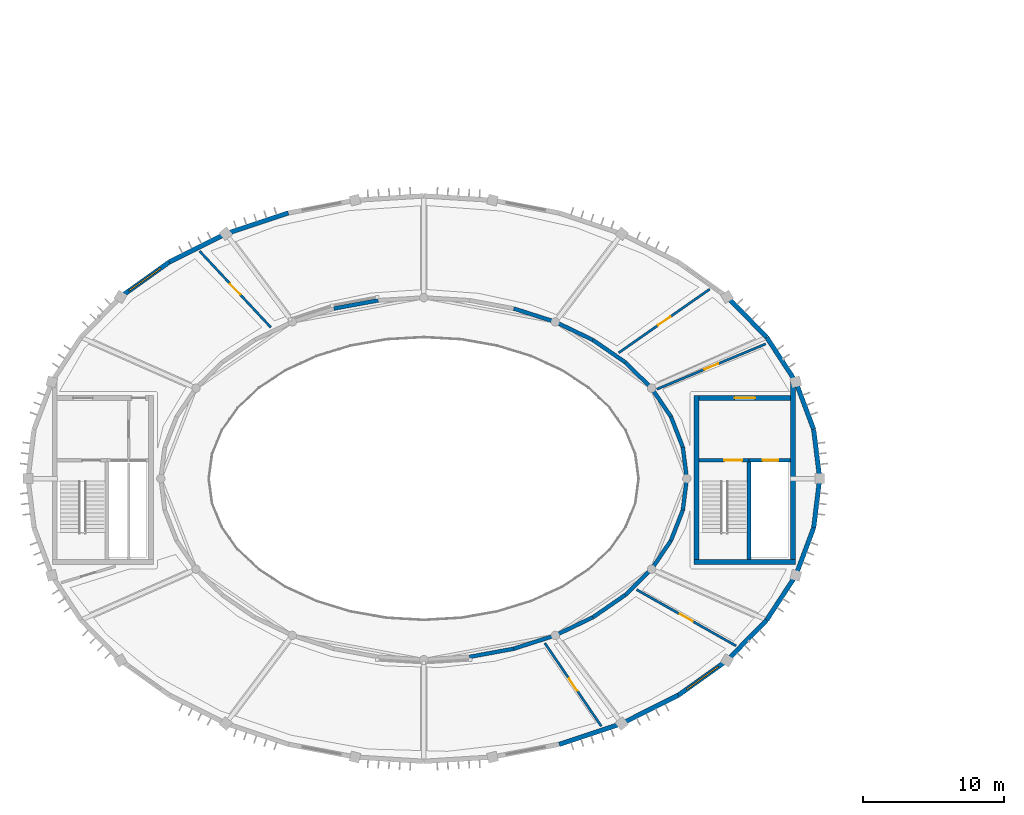
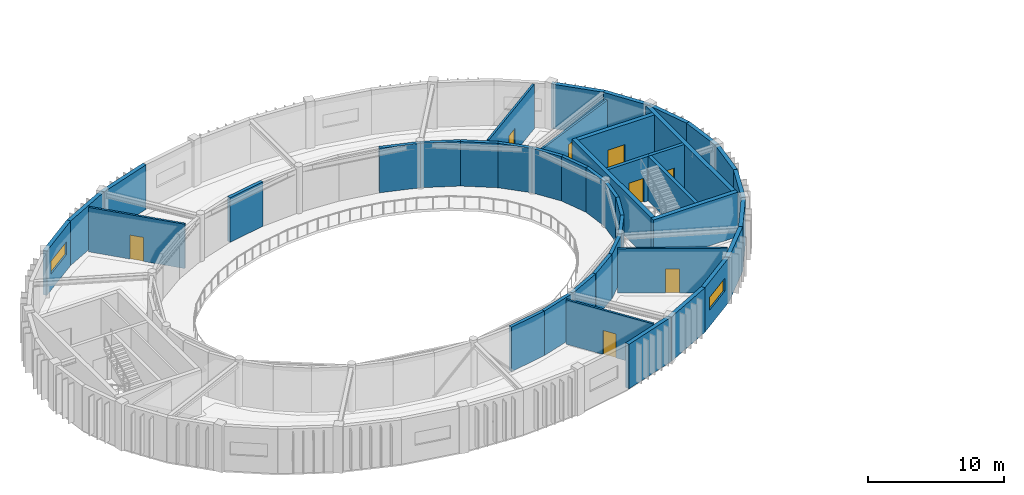
# One storey, part 18 of 29: 42 walls, 8 doors, 2 windows, 10 openings.
"""IFC4 building model written with IfcOpenShell, lengths in metres."""

import ifcopenshell
import ifcopenshell.guid

model = None  # the IFC model being written
_history = None  # IfcOwnerHistory: only IFC2X3 demands one
_inside = {}  # id of a spatial element -> (the spatial element, [elements in it])
_under = {}  # id of a project, library or spatial element -> (it, [spatial elements below it])
_declared = {}  # id of a project -> (the project, [libraries it declares])
_typed = {}  # id of a type object -> (the type object, [elements of that type])
_made_of = {}  # id of a material, layer set ... -> (it, [elements and type objects made of it])


def new_model(schema):
    """Start an empty IFC model of exactly this schema.

    Asked for "IFC4X3", IfcOpenShell would pick the latest addendum, in which some entities
    have other attributes; the version numbers below select the first issue.
    IFC2X3 requires an IfcOwnerHistory on every rooted entity: one is made here for all.
    """
    global model, _history
    if schema == "IFC4X3":
        model = ifcopenshell.file(schema_version=(4, 3, 0, 0))
    else:
        model = ifcopenshell.file(schema=schema)
    _inside.clear()
    _under.clear()
    _declared.clear()
    _typed.clear()
    _made_of.clear()
    _history = None
    if model.schema == "IFC2X3":
        org = make("IfcOrganization", Name="unknown")
        user = make(
            "IfcPersonAndOrganization",
            ThePerson=make("IfcPerson", FamilyName="unknown"),
            TheOrganization=org,
        )
        app = make(
            "IfcApplication",
            ApplicationDeveloper=org,
            Version="unknown",
            ApplicationFullName="unknown",
            ApplicationIdentifier="unknown",
        )
        _history = make(
            "IfcOwnerHistory",
            OwningUser=user,
            OwningApplication=app,
            ChangeAction="ADDED",
            CreationDate=0,
        )
    return model


def make(cls, **values):
    """One entity of the class cls with the attributes given. An attribute that is None is left unset."""
    return model.create_entity(
        cls, **{name: value for name, value in values.items() if value is not None}
    )


def rooted(cls, **values):
    """An entity with a GlobalId (a new one), such as an element, a storey or a relation."""
    return make(cls, GlobalId=ifcopenshell.guid.new(), OwnerHistory=_history, **values)


def si_unit(unit_type, name, prefix=None):
    """IfcSIUnit, for example si_unit("LENGTHUNIT", "METRE", prefix="MILLI")."""
    return make("IfcSIUnit", UnitType=unit_type, Prefix=prefix, Name=name)


def assignment(units):
    """IfcUnitAssignment: the units of a project."""
    return None if units is None else make("IfcUnitAssignment", Units=units)


def point(xyz):
    """IfcCartesianPoint."""
    return None if xyz is None else make("IfcCartesianPoint", Coordinates=xyz)


def direction(xyz):
    """IfcDirection."""
    return None if xyz is None else make("IfcDirection", DirectionRatios=xyz)


def frame(location, z_axis=None, x_axis=None):
    """IfcAxis2Placement3D, a coordinate frame: its origin and axes. An axis left out is left unset."""
    return make(
        "IfcAxis2Placement3D",
        Location=point(location),
        Axis=direction(z_axis),
        RefDirection=direction(x_axis),
    )


def frame_2d(location, x_axis=None):
    """IfcAxis2Placement2D, a coordinate frame in the plane: its origin and x axis."""
    return make(
        "IfcAxis2Placement2D", Location=point(location), RefDirection=direction(x_axis)
    )


def origin():
    """The frame at (0, 0, 0) with its axes left unset."""
    return frame((0.0, 0.0, 0.0))


def place(relative_to, where):
    """IfcLocalPlacement: puts the frame where relative to a parent placement (None: the world)."""
    return make(
        "IfcLocalPlacement", PlacementRelTo=relative_to, RelativePlacement=where
    )


def context(
    kind, dimensions, precision=None, world=None, true_north=None, identifier=None
):
    """IfcGeometricRepresentationContext, for example the 3D "Model" context."""
    return make(
        "IfcGeometricRepresentationContext",
        ContextIdentifier=identifier,
        ContextType=kind,
        CoordinateSpaceDimension=dimensions,
        Precision=precision,
        WorldCoordinateSystem=world,
        TrueNorth=true_north,
    )


def subcontext(parent, identifier, kind, view, scale=None):
    """IfcGeometricRepresentationSubContext, for example "Body" below "Model"."""
    return make(
        "IfcGeometricRepresentationSubContext",
        ContextIdentifier=identifier,
        ContextType=kind,
        ParentContext=parent,
        TargetScale=scale,
        TargetView=view,
    )


def project(units=None, contexts=None):
    """IfcProject with its units and contexts."""
    return rooted(
        "IfcProject",
        Name="project",
        RepresentationContexts=contexts,
        UnitsInContext=assignment(units),
    )


def spatial(cls, under=None, at=None, **own):
    """A site, building, storey or space (cls), placed at a placement, below another one or the project."""
    s = rooted(cls, ObjectPlacement=at, **own)
    if under is not None:
        _under.setdefault(under.id(), (under, []))[1].append(s)
    return s


def profile(cls, at=None, kind="AREA", **sizes):
    """A parametric profile (cls). Its sizes go by their IFC names, for example OverallWidth=200.0."""
    return make(cls, ProfileType=kind, Position=at, **sizes)


def rectangle(**sizes):
    """IfcRectangleProfileDef."""
    return profile("IfcRectangleProfileDef", **sizes)


def extrude(swept, where, along, depth):
    """IfcExtrudedAreaSolid: the profile swept, set in the frame where, extruded along a direction by depth."""
    return make(
        "IfcExtrudedAreaSolid",
        SweptArea=swept,
        Position=where,
        ExtrudedDirection=direction(along),
        Depth=depth,
    )


def shape(context_of_items, identifier, shape_type, items):
    """IfcShapeRepresentation: the items that make up one representation, for example the "Body"."""
    return make(
        "IfcShapeRepresentation",
        ContextOfItems=context_of_items,
        RepresentationIdentifier=identifier,
        RepresentationType=shape_type,
        Items=items,
    )


def material(Name=None, Category=None):
    """IfcMaterial."""
    return make("IfcMaterial", Name=Name, Category=Category)


def layer(
    of_material, thickness, ventilated=None, Name=None, Category=None, Priority=None
):
    """IfcMaterialLayer: one layer of a wall or slab, of a material (None: an air gap)."""
    return make(
        "IfcMaterialLayer",
        Material=of_material,
        LayerThickness=thickness,
        IsVentilated=ventilated,
        Name=Name,
        Category=Category,
        Priority=Priority,
    )


def layer_set(layers, Name=None):
    """IfcMaterialLayerSet."""
    return make("IfcMaterialLayerSet", MaterialLayers=layers, LayerSetName=Name)


def made_of(thing, what):
    """Note that an element or type object is made of a material, layer set ...; save() writes the relation."""
    if what is not None:
        _made_of.setdefault(what.id(), (what, []))[1].append(thing)
    return thing


def type_object(cls, material=None, **own):
    """A type object (cls), such as IfcWallType, which elements share."""
    return made_of(rooted(cls, **own), material)


def element(
    cls,
    number,
    at=None,
    inside=None,
    cuts=None,
    type_object=None,
    material=None,
    context=None,
    identifier="Body",
    shape_type=None,
    held_by="IfcProductDefinitionShape",
    body=None,
    shapes=None,
    **own,
):
    """One element of the class cls, such as IfcWall. Its Tag is "e" and its number.

    at: its placement. inside: the storey or other place that contains it. cuts: it is an
    opening in that element (IfcRelVoidsElement). A single representation is given by context,
    identifier, shape_type and body (its items); several are given by shapes. held_by: the class
    of the entity that holds the representations. save() writes the other relations.
    """
    e = rooted(cls, Tag="e%d" % number, ObjectPlacement=at, **own)
    if body is not None:
        shapes = [shape(context, identifier, shape_type, body)]
    if shapes is not None:
        e.Representation = make(held_by, Representations=shapes)
    if inside is not None:
        _inside.setdefault(inside.id(), (inside, []))[1].append(e)
    if cuts is not None:
        rooted(
            "IfcRelVoidsElement", RelatingBuildingElement=cuts, RelatedOpeningElement=e
        )
    if type_object is not None:
        _typed.setdefault(type_object.id(), (type_object, []))[1].append(e)
    return made_of(e, material)


def fill(opening, filler):
    """IfcRelFillsElement: the door or window that sits in an opening."""
    return rooted(
        "IfcRelFillsElement",
        RelatingOpeningElement=opening,
        RelatedBuildingElement=filler,
    )


def aggregate(whole, parts):
    """IfcRelAggregates: a whole, such as a stair, and the parts it consists of."""
    return rooted("IfcRelAggregates", RelatingObject=whole, RelatedObjects=parts)


def save(model, path):
    """Write the relations noted so far, then the file.

    IfcRelAggregates (storeys below a building ...), IfcRelContainedInSpatialStructure (elements
    in a storey), IfcRelDefinesByType, IfcRelAssociatesMaterial and IfcRelDeclares: one each for
    every whole, place, type object, material and project.
    """
    for whole, parts in _under.values():
        aggregate(whole, parts)
    for where, things in _inside.values():
        rooted(
            "IfcRelContainedInSpatialStructure",
            RelatedElements=things,
            RelatingStructure=where,
        )
    for kind, things in _typed.values():
        rooted("IfcRelDefinesByType", RelatedObjects=things, RelatingType=kind)
    for what, things in _made_of.values():
        rooted("IfcRelAssociatesMaterial", RelatedObjects=things, RelatingMaterial=what)
    for by, libraries in _declared.values():
        rooted("IfcRelDeclares", RelatingContext=by, RelatedDefinitions=libraries)
    model.write(path)


model = new_model("IFC4")

# Units and contexts
model_context = context("Model", 3, precision=1e-05, world=origin(), true_north=direction((0.0, 1.0)))
body_context = subcontext(model_context, "Body", "Model", "MODEL_VIEW")
ifc_project = project(units=[si_unit("LENGTHUNIT", "METRE"), si_unit("AREAUNIT", "SQUARE_METRE"), si_unit("VOLUMEUNIT", "CUBIC_METRE"), si_unit("PLANEANGLEUNIT", "RADIAN"), si_unit("MASSUNIT", "GRAM", prefix="KILO")], contexts=[model_context])

# Site, building, storey
site_placement = place(None, origin())
site = spatial("IfcSite", under=ifc_project, at=site_placement, CompositionType="ELEMENT")
building_placement = place(site_placement, origin())
building = spatial("IfcBuilding", under=site, at=building_placement, Name="Tarnveldt Headland Concert Hall", CompositionType="ELEMENT")
storey_placement = place(building_placement, frame((0.0, 0.0, 18.60009765625)))
storey = spatial("IfcBuildingStorey", under=building, at=storey_placement, Name="L04", CompositionType="ELEMENT", Elevation=18.60009765625)

# Walls
ifc_material_1 = material(Name="Concrete C40/50", Category="concrete")
ifc_layer_1 = layer(ifc_material_1, 0.324951171875, Name="Concrete C40/50", Category="concrete")
ifc_layer_set_1 = layer_set([ifc_layer_1], Name="Concrete C40/50")
wall_type_1 = type_object("IfcWallType", Name="WL-CR325", PredefinedType="SHEAR", material=ifc_layer_set_1)
wall_1_placement = place(storey_placement, frame((111.5, 54.5, 0.0), z_axis=(0.0, 0.0, 1.0), x_axis=(-0.121552414401, 0.99258501427, 0.0)))
element("IfcWall", 1, at=wall_1_placement, inside=storey, type_object=wall_type_1, Name="Symphony drum shear wall L04-1", PredefinedType="SHEAR", context=body_context, shape_type="SweptSolid", body=[
    extrude(rectangle(XDim=3.498779296875, YDim=0.324951171875, at=frame_2d((1.74951171875, 0.0))), origin(), (0.0, 0.0, 1.0), 3.97998046875),
])
wall_2_placement = place(storey_placement, frame((111.07470703125, 57.972900390625, 0.0), z_axis=(0.0, 0.0, 1.0), x_axis=(-0.351279653979, 0.936270583058, 0.0)))
element("IfcWall", 2, at=wall_2_placement, inside=storey, type_object=wall_type_1, Name="Symphony drum shear wall L04-2", PredefinedType="SHEAR", context=body_context, shape_type="SweptSolid", body=[
    extrude(rectangle(XDim=3.5966796875, YDim=0.324951171875, at=frame_2d((1.79833984375, 0.0))), origin(), (0.0, 0.0, 1.0), 3.97998046875),
])
wall_3_placement = place(storey_placement, frame((109.811279296875, 61.34033203125, 0.0), z_axis=(0.0, 0.0, 1.0), x_axis=(-0.546611158382, 0.837386554425, 0.0)))
element("IfcWall", 3, at=wall_3_placement, inside=storey, type_object=wall_type_1, Name="Symphony drum shear wall L04-3", PredefinedType="SHEAR", context=body_context, shape_type="SweptSolid", body=[
    extrude(rectangle(XDim=3.773193359375, YDim=0.324951171875, at=frame_2d((1.88671875, 0.0))), origin(), (0.0, 0.0, 1.0), 3.97998046875),
])
wall_4_placement = place(storey_placement, frame((107.748779296875, 64.5, 0.0), z_axis=(0.0, 0.0, 1.0), x_axis=(-0.700051268358, 0.714092586203, 0.0)))
element("IfcWall", 4, at=wall_4_placement, inside=storey, type_object=wall_type_1, Name="Symphony drum shear wall L04-4", PredefinedType="SHEAR", context=body_context, shape_type="SweptSolid", body=[
    extrude(rectangle(XDim=3.9990234375, YDim=0.324951171875, at=frame_2d((1.99951171875, 0.0))), origin(), (0.0, 0.0, 1.0), 3.97998046875),
])
wall_5_placement = place(storey_placement, frame((73.92333984375, 73.2939453125, 0.0), z_axis=(0.0, 0.0, 1.0), x_axis=(-0.948751350732, -0.316023534699, 0.0)))
element("IfcWall", 5, at=wall_5_placement, inside=storey, type_object=wall_type_1, Name="Symphony drum shear wall L04-12", PredefinedType="SHEAR", context=body_context, shape_type="SweptSolid", body=[
    extrude(rectangle(XDim=4.662353515625, YDim=0.324951171875, at=frame_2d((2.3310546875, 0.0))), origin(), (0.0, 0.0, 1.0), 3.97998046875),
])
wall_6_placement = place(storey_placement, frame((69.5, 71.820556640625, 0.0), z_axis=(0.0, 0.0, 1.0), x_axis=(-0.894361644392, -0.447344664705, 0.0)))
element("IfcWall", 6, at=wall_6_placement, inside=storey, type_object=wall_type_1, Name="Symphony drum shear wall L04-13", PredefinedType="SHEAR", context=body_context, shape_type="SweptSolid", body=[
    extrude(rectangle(XDim=4.47021484375, YDim=0.324951171875, at=frame_2d((2.235107421875, 0.0))), origin(), (0.0, 0.0, 1.0), 3.97998046875),
])

# Wall, opening, window
wall_7_placement = place(storey_placement, frame((65.501953125, 69.82080078125, 0.0), z_axis=(0.0, 0.0, 1.0), x_axis=(-0.813737360708, -0.581232748378, 0.0)))
wall_7 = element("IfcWall", 7, at=wall_7_placement, inside=storey, type_object=wall_type_1, Name="Symphony drum shear wall L04-14", PredefinedType="SHEAR", context=body_context, shape_type="SweptSolid", body=[
    extrude(rectangle(XDim=4.2412109375, YDim=0.324951171875, at=frame_2d((2.12060546875, 0.0))), origin(), (0.0, 0.0, 1.0), 3.97998046875),
])
opening_1_placement = place(wall_7_placement, frame((0.74560546875, 0.0, 1.449951171875)))
opening_1 = element("IfcOpeningElement", 8, at=opening_1_placement, cuts=wall_7, Name="Opening W-D011", PredefinedType="OPENING", context=body_context, shape_type="SweptSolid", body=[
    extrude(rectangle(XDim=2.75, YDim=1.14990234375, at=frame_2d((1.375, 0.574951171875))), frame((0.0, 0.17236328125, 0.0), z_axis=(0.0, -1.0, 0.0), x_axis=(1.0, 0.0, 0.0)), (0.0, 0.0, 1.0), 0.344970703125),
])
ifc_material_2 = material(Name="Acoustic laminated low-iron double glazing", Category="glass")
window_type = type_object("IfcWindowType", Name="WN-22", PartitioningType="SINGLE_PANEL", PredefinedType="WINDOW", material=ifc_material_2)
window_1_placement = place(opening_1_placement, origin())
window_1 = element("IfcWindow", 9, at=window_1_placement, inside=storey, type_object=window_type, Name="Drum acoustic gallery window L04-14", OverallHeight=1.14990234375, OverallWidth=2.75, PartitioningType="SINGLE_PANEL", PredefinedType="WINDOW", context=body_context, shape_type="SweptSolid", body=[
    extrude(rectangle(XDim=2.75, YDim=1.14990234375, at=frame_2d((1.375, 0.574951171875))), frame((0.0, 0.030029296875, 0.0), z_axis=(0.0, -1.0, 0.0), x_axis=(1.0, 0.0, 0.0)), (0.0, 0.0, 1.0), 0.06005859375),
])
fill(opening_1, window_1)

# Walls
wall_8_placement = place(storey_placement, frame((93.07666015625, 35.7060546875, 0.0), z_axis=(0.0, 0.0, 1.0), x_axis=(0.948751350732, 0.316023534699, 0.0)))
element("IfcWall", 10, at=wall_8_placement, inside=storey, type_object=wall_type_1, Name="Symphony drum shear wall L04-30", PredefinedType="SHEAR", context=body_context, shape_type="SweptSolid", body=[
    extrude(rectangle(XDim=4.662353515625, YDim=0.324951171875, at=frame_2d((2.3310546875, 0.0))), origin(), (0.0, 0.0, 1.0), 3.97998046875),
])
wall_9_placement = place(storey_placement, frame((97.5, 37.179443359375, 0.0), z_axis=(0.0, 0.0, 1.0), x_axis=(0.894361644392, 0.447344664705, 0.0)))
element("IfcWall", 11, at=wall_9_placement, inside=storey, type_object=wall_type_1, Name="Symphony drum shear wall L04-31", PredefinedType="SHEAR", context=body_context, shape_type="SweptSolid", body=[
    extrude(rectangle(XDim=4.47021484375, YDim=0.324951171875, at=frame_2d((2.235107421875, 0.0))), origin(), (0.0, 0.0, 1.0), 3.97998046875),
])

# Wall, opening, window
wall_10_placement = place(storey_placement, frame((101.498046875, 39.17919921875, 0.0), z_axis=(0.0, 0.0, 1.0), x_axis=(0.813737360708, 0.581232748378, 0.0)))
wall_10 = element("IfcWall", 12, at=wall_10_placement, inside=storey, type_object=wall_type_1, Name="Symphony drum shear wall L04-32", PredefinedType="SHEAR", context=body_context, shape_type="SweptSolid", body=[
    extrude(rectangle(XDim=4.2412109375, YDim=0.324951171875, at=frame_2d((2.12060546875, 0.0))), origin(), (0.0, 0.0, 1.0), 3.97998046875),
])
opening_2_placement = place(wall_10_placement, frame((0.74560546875, 0.0, 1.449951171875)))
opening_2 = element("IfcOpeningElement", 13, at=opening_2_placement, cuts=wall_10, Name="Opening W-D015", PredefinedType="OPENING", context=body_context, shape_type="SweptSolid", body=[
    extrude(rectangle(XDim=2.75, YDim=1.14990234375, at=frame_2d((1.375, 0.574951171875))), frame((0.0, 0.17236328125, 0.0), z_axis=(0.0, -1.0, 0.0), x_axis=(1.0, 0.0, 0.0)), (0.0, 0.0, 1.0), 0.344970703125),
])
window_2_placement = place(opening_2_placement, origin())
window_2 = element("IfcWindow", 14, at=window_2_placement, inside=storey, type_object=window_type, Name="Drum acoustic gallery window L04-32", OverallHeight=1.14990234375, OverallWidth=2.75, PartitioningType="SINGLE_PANEL", PredefinedType="WINDOW", context=body_context, shape_type="SweptSolid", body=[
    extrude(rectangle(XDim=2.75, YDim=1.14990234375, at=frame_2d((1.375, 0.574951171875))), frame((0.0, 0.030029296875, 0.0), z_axis=(0.0, -1.0, 0.0), x_axis=(1.0, 0.0, 0.0)), (0.0, 0.0, 1.0), 0.06005859375),
])
fill(opening_2, window_2)

# Walls
wall_11_placement = place(storey_placement, frame((104.94921875, 41.644287109375, 0.0), z_axis=(0.0, 0.0, 1.0), x_axis=(0.700051268358, 0.714092586203, 0.0)))
element("IfcWall", 15, at=wall_11_placement, inside=storey, type_object=wall_type_1, Name="Symphony drum shear wall L04-33", PredefinedType="SHEAR", context=body_context, shape_type="SweptSolid", body=[
    extrude(rectangle(XDim=3.9990234375, YDim=0.324951171875, at=frame_2d((1.99951171875, 0.0))), origin(), (0.0, 0.0, 1.0), 3.97998046875),
])
wall_12_placement = place(storey_placement, frame((107.748779296875, 44.5, 0.0), z_axis=(0.0, 0.0, 1.0), x_axis=(0.546611158382, 0.837386554425, 0.0)))
element("IfcWall", 16, at=wall_12_placement, inside=storey, type_object=wall_type_1, Name="Symphony drum shear wall L04-34", PredefinedType="SHEAR", context=body_context, shape_type="SweptSolid", body=[
    extrude(rectangle(XDim=3.773193359375, YDim=0.324951171875, at=frame_2d((1.88671875, 0.0))), origin(), (0.0, 0.0, 1.0), 3.97998046875),
])
wall_13_placement = place(storey_placement, frame((109.811279296875, 47.65966796875, 0.0), z_axis=(0.0, 0.0, 1.0), x_axis=(0.351279653979, 0.936270583058, 0.0)))
element("IfcWall", 17, at=wall_13_placement, inside=storey, type_object=wall_type_1, Name="Symphony drum shear wall L04-35", PredefinedType="SHEAR", context=body_context, shape_type="SweptSolid", body=[
    extrude(rectangle(XDim=3.5966796875, YDim=0.324951171875, at=frame_2d((1.79833984375, 0.0))), origin(), (0.0, 0.0, 1.0), 3.97998046875),
])
wall_14_placement = place(storey_placement, frame((111.07470703125, 51.027099609375, 0.0), z_axis=(0.0, 0.0, 1.0), x_axis=(0.121552414401, 0.99258501427, 0.0)))
element("IfcWall", 18, at=wall_14_placement, inside=storey, type_object=wall_type_1, Name="Symphony drum shear wall L04-36", PredefinedType="SHEAR", context=body_context, shape_type="SweptSolid", body=[
    extrude(rectangle(XDim=3.498779296875, YDim=0.324951171875, at=frame_2d((1.74951171875, 0.0))), origin(), (0.0, 0.0, 1.0), 3.97998046875),
])
ifc_layer_2 = layer(ifc_material_1, 0.35009765625, Name="Concrete C40/50", Category="concrete")
ifc_layer_set_2 = layer_set([ifc_layer_2], Name="Concrete C40/50")
wall_type_2 = type_object("IfcWallType", Name="WL-CR350", PredefinedType="SHEAR", material=ifc_layer_set_2)
wall_15_placement = place(storey_placement, frame((102.625, 48.60009765625, 0.0), z_axis=(0.0, 0.0, 1.0), x_axis=(1.0, 0.0, 0.0)))
element("IfcWall", 19, at=wall_15_placement, inside=storey, type_object=wall_type_2, Name="Core C2 south shear wall L04", PredefinedType="SHEAR", context=body_context, shape_type="SweptSolid", body=[
    extrude(rectangle(XDim=7.14990234375, YDim=0.35009765625, at=frame_2d((3.574951171875, 0.0))), origin(), (0.0, 0.0, 1.0), 3.97998046875),
])

# Wall, opening, door
wall_16_placement = place(storey_placement, frame((102.97509765625, 60.199951171875, 0.0), z_axis=(0.0, 0.0, 1.0), x_axis=(1.0, 0.0, 0.0)))
wall_16 = element("IfcWall", 20, at=wall_16_placement, inside=storey, type_object=wall_type_2, Name="Core C2 north shear wall L04", PredefinedType="SHEAR", context=body_context, shape_type="SweptSolid", body=[
    extrude(rectangle(XDim=6.449951171875, YDim=0.35009765625, at=frame_2d((3.22509765625, 0.0))), origin(), (0.0, 0.0, 1.0), 3.97998046875),
])
opening_3_placement = place(wall_16_placement, frame((2.5, 0.0, 0.0)))
opening_3 = element("IfcOpeningElement", 21, at=opening_3_placement, cuts=wall_16, Name="Opening LBD-C2-L04", PredefinedType="OPENING", context=body_context, shape_type="SweptSolid", body=[
    extrude(rectangle(XDim=1.449951171875, YDim=2.199951171875, at=frame_2d((0.72509765625, 1.10009765625))), frame((0.0, 0.18505859375, 0.0), z_axis=(0.0, -1.0, 0.0), x_axis=(1.0, 0.0, 0.0)), (0.0, 0.0, 1.0), 0.3701171875),
])
ifc_material_3 = material(Name="Galvanised painted steel sheet", Category="steel")
door_type_1 = type_object("IfcDoorType", Name="DR-LB145", OperationType="NOTDEFINED", PredefinedType="DOOR", material=ifc_material_3)
door_1_placement = place(opening_3_placement, origin())
door_1 = element("IfcDoor", 22, at=door_1_placement, inside=storey, type_object=door_type_1, Name="Core C2 lobby entrance door L04", OperationType="SINGLE_SWING_LEFT", OverallHeight=2.199951171875, OverallWidth=1.449951171875, PredefinedType="DOOR", context=body_context, shape_type="SweptSolid", body=[
    extrude(rectangle(XDim=1.449951171875, YDim=2.199951171875, at=frame_2d((0.72509765625, 1.10009765625))), frame((0.0, 0.02490234375, 0.0), z_axis=(0.0, -1.0, 0.0), x_axis=(1.0, 0.0, 0.0)), (0.0, 0.0, 1.0), 0.050048828125),
])
fill(opening_3, door_1)

# Walls
wall_17_placement = place(storey_placement, frame((102.800048828125, 48.77490234375, 0.0), z_axis=(0.0, 0.0, 1.0), x_axis=(0.0, 1.0, 0.0)))
element("IfcWall", 23, at=wall_17_placement, inside=storey, type_object=wall_type_2, Name="Core C2 west shear wall L04", PredefinedType="SHEAR", context=body_context, shape_type="SweptSolid", body=[
    extrude(rectangle(XDim=11.60009765625, YDim=0.35009765625, at=frame_2d((5.800048828125, 0.0))), origin(), (0.0, 0.0, 1.0), 3.97998046875),
])
wall_18_placement = place(storey_placement, frame((109.60009765625, 48.77490234375, 0.0), z_axis=(0.0, 0.0, 1.0), x_axis=(0.0, 1.0, 0.0)))
element("IfcWall", 24, at=wall_18_placement, inside=storey, type_object=wall_type_2, Name="Core C2 east shear wall L04", PredefinedType="SHEAR", context=body_context, shape_type="SweptSolid", body=[
    extrude(rectangle(XDim=12.565185546875, YDim=0.35009765625, at=frame_2d((6.28271484375, 0.0))), origin(), (0.0, 0.0, 1.0), 3.97998046875),
])

# Wall, opening, door
ifc_material_4 = material(Name="Acoustic multi-layer gypsum and mineral-wool partition", Category="gypsum")
ifc_layer_3 = layer(ifc_material_4, 0.1650390625, Name="Acoustic multi-layer gypsum and mineral-wool partition", Category="gypsum")
ifc_layer_set_3 = layer_set([ifc_layer_3], Name="Acoustic multi-layer gypsum and mineral-wool partition")
wall_type_3 = type_object("IfcWallType", Name="WL-PT165", PredefinedType="PARTITIONING", material=ifc_layer_set_3)
wall_19_placement = place(storey_placement, frame((92.0576171875, 42.872314453125, 0.0), z_axis=(0.0, 0.0, 1.0), x_axis=(0.561953973971, -0.827168502264, 0.0)))
wall_19 = element("IfcWall", 25, at=wall_19_placement, inside=storey, type_object=wall_type_3, Name="Interior acoustic partition L04-243", PredefinedType="PARTITIONING", context=body_context, shape_type="SweptSolid", body=[
    extrude(rectangle(XDim=7.109375, YDim=0.1650390625, at=frame_2d((3.5546875, 0.0))), origin(), (0.0, 0.0, 1.0), 3.973876953125),
])
opening_4_placement = place(wall_19_placement, frame((3.02978515625, 0.0, 0.0)))
opening_4 = element("IfcOpeningElement", 26, at=opening_4_placement, cuts=wall_19, Name="Opening D-L04-239", PredefinedType="OPENING", context=body_context, shape_type="SweptSolid", body=[
    extrude(rectangle(XDim=1.050048828125, YDim=2.14990234375, at=frame_2d((0.52490234375, 1.074951171875))), frame((0.0, 0.092529296875, 0.0), z_axis=(0.0, -1.0, 0.0), x_axis=(1.0, 0.0, 0.0)), (0.0, 0.0, 1.0), 0.18505859375),
])
ifc_material_5 = material(Name="Treated East African mvule hardwood", Category="wood")
door_type_2 = type_object("IfcDoorType", Name="DR-RM105", OperationType="NOTDEFINED", PredefinedType="DOOR", material=ifc_material_5)
door_2_placement = place(opening_4_placement, origin())
door_2 = element("IfcDoor", 27, at=door_2_placement, inside=storey, type_object=door_type_2, Name="Interior room door L04-239", OperationType="SINGLE_SWING_LEFT", OverallHeight=2.14990234375, OverallWidth=1.050048828125, PredefinedType="DOOR", context=body_context, shape_type="SweptSolid", body=[
    extrude(rectangle(XDim=1.050048828125, YDim=2.14990234375, at=frame_2d((0.52490234375, 1.074951171875))), frame((0.0, 0.02490234375, 0.0), z_axis=(0.0, -1.0, 0.0), x_axis=(1.0, 0.0, 0.0)), (0.0, 0.0, 1.0), 0.050048828125),
])
fill(opening_4, door_2)

wall_20_placement = place(storey_placement, frame((98.55419921875, 46.646240234375, 0.0), z_axis=(0.0, 0.0, 1.0), x_axis=(0.870587620776, -0.492013408914, 0.0)))
wall_20 = element("IfcWall", 28, at=wall_20_placement, inside=storey, type_object=wall_type_3, Name="Interior acoustic partition L04-244", PredefinedType="PARTITIONING", context=body_context, shape_type="SweptSolid", body=[
    extrude(rectangle(XDim=8.07275390625, YDim=0.1650390625, at=frame_2d((4.036376953125, 0.0))), origin(), (0.0, 0.0, 1.0), 3.973876953125),
])
opening_5_placement = place(wall_20_placement, frame((3.511474609375, 0.0, 0.0)))
opening_5 = element("IfcOpeningElement", 29, at=opening_5_placement, cuts=wall_20, Name="Opening D-L04-240", PredefinedType="OPENING", context=body_context, shape_type="SweptSolid", body=[
    extrude(rectangle(XDim=1.050048828125, YDim=2.14990234375, at=frame_2d((0.52490234375, 1.074951171875))), frame((0.0, 0.092529296875, 0.0), z_axis=(0.0, -1.0, 0.0), x_axis=(1.0, 0.0, 0.0)), (0.0, 0.0, 1.0), 0.18505859375),
])
door_3_placement = place(opening_5_placement, origin())
door_3 = element("IfcDoor", 30, at=door_3_placement, inside=storey, type_object=door_type_2, Name="Interior room door L04-240", OperationType="SINGLE_SWING_RIGHT", OverallHeight=2.14990234375, OverallWidth=1.050048828125, PredefinedType="DOOR", context=body_context, shape_type="SweptSolid", body=[
    extrude(rectangle(XDim=1.050048828125, YDim=2.14990234375, at=frame_2d((0.52490234375, 1.074951171875))), frame((0.0, 0.02490234375, 0.0), z_axis=(0.0, -1.0, 0.0), x_axis=(1.0, 0.0, 0.0)), (0.0, 0.0, 1.0), 0.050048828125),
])
fill(opening_5, door_3)

wall_21_placement = place(storey_placement, frame((99.986572265625, 60.826904296875, 0.0), z_axis=(0.0, 0.0, 1.0), x_axis=(0.923382534701, 0.383881094363, 0.0)))
wall_21 = element("IfcWall", 31, at=wall_21_placement, inside=storey, type_object=wall_type_3, Name="Interior acoustic partition L04-245", PredefinedType="PARTITIONING", context=body_context, shape_type="SweptSolid", body=[
    extrude(rectangle(XDim=8.335205078125, YDim=0.1650390625, at=frame_2d((4.16748046875, 0.0))), origin(), (0.0, 0.0, 1.0), 3.52001953125),
])
opening_6_placement = place(wall_21_placement, frame((3.642578125, 0.0, 0.0)))
opening_6 = element("IfcOpeningElement", 32, at=opening_6_placement, cuts=wall_21, Name="Opening D-L04-241", PredefinedType="OPENING", context=body_context, shape_type="SweptSolid", body=[
    extrude(rectangle(XDim=1.050048828125, YDim=2.14990234375, at=frame_2d((0.52490234375, 1.074951171875))), frame((0.0, 0.092529296875, 0.0), z_axis=(0.0, -1.0, 0.0), x_axis=(1.0, 0.0, 0.0)), (0.0, 0.0, 1.0), 0.18505859375),
])
door_4_placement = place(opening_6_placement, origin())
door_4 = element("IfcDoor", 33, at=door_4_placement, inside=storey, type_object=door_type_2, Name="Interior room door L04-241", OperationType="SINGLE_SWING_LEFT", OverallHeight=2.14990234375, OverallWidth=1.050048828125, PredefinedType="DOOR", context=body_context, shape_type="SweptSolid", body=[
    extrude(rectangle(XDim=1.050048828125, YDim=2.14990234375, at=frame_2d((0.52490234375, 1.074951171875))), frame((0.0, 0.02490234375, 0.0), z_axis=(0.0, -1.0, 0.0), x_axis=(1.0, 0.0, 0.0)), (0.0, 0.0, 1.0), 0.050048828125),
])
fill(opening_6, door_4)

wall_22_placement = place(storey_placement, frame((97.285888671875, 63.400146484375, 0.0), z_axis=(0.0, 0.0, 1.0), x_axis=(0.819471352116, 0.573120147142, 0.0)))
wall_22 = element("IfcWall", 34, at=wall_22_placement, inside=storey, type_object=wall_type_3, Name="Interior acoustic partition L04-246", PredefinedType="PARTITIONING", context=body_context, shape_type="SweptSolid", body=[
    extrude(rectangle(XDim=7.85400390625, YDim=0.1650390625, at=frame_2d((3.927001953125, 0.0))), origin(), (0.0, 0.0, 1.0), 3.973876953125),
])
opening_7_placement = place(wall_22_placement, frame((3.40185546875, 0.0, 0.0)))
opening_7 = element("IfcOpeningElement", 35, at=opening_7_placement, cuts=wall_22, Name="Opening D-L04-242", PredefinedType="OPENING", context=body_context, shape_type="SweptSolid", body=[
    extrude(rectangle(XDim=1.050048828125, YDim=2.14990234375, at=frame_2d((0.52490234375, 1.074951171875))), frame((0.0, 0.092529296875, 0.0), z_axis=(0.0, -1.0, 0.0), x_axis=(1.0, 0.0, 0.0)), (0.0, 0.0, 1.0), 0.18505859375),
])
door_5_placement = place(opening_7_placement, origin())
door_5 = element("IfcDoor", 36, at=door_5_placement, inside=storey, type_object=door_type_2, Name="Interior room door L04-242", OperationType="SINGLE_SWING_RIGHT", OverallHeight=2.14990234375, OverallWidth=1.050048828125, PredefinedType="DOOR", context=body_context, shape_type="SweptSolid", body=[
    extrude(rectangle(XDim=1.050048828125, YDim=2.14990234375, at=frame_2d((0.52490234375, 1.074951171875))), frame((0.0, 0.02490234375, 0.0), z_axis=(0.0, -1.0, 0.0), x_axis=(1.0, 0.0, 0.0)), (0.0, 0.0, 1.0), 0.050048828125),
])
fill(opening_7, door_5)

wall_23_placement = place(storey_placement, frame((72.68798828125, 65.18994140625, 0.0), z_axis=(0.0, 0.0, 1.0), x_axis=(-0.682428795384, 0.730952077246, 0.0)))
wall_23 = element("IfcWall", 37, at=wall_23_placement, inside=storey, type_object=wall_type_3, Name="Interior acoustic partition L04-247", PredefinedType="PARTITIONING", context=body_context, shape_type="SweptSolid", body=[
    extrude(rectangle(XDim=7.396240234375, YDim=0.1650390625, at=frame_2d((3.6982421875, 0.0))), origin(), (0.0, 0.0, 1.0), 3.973876953125),
])
opening_8_placement = place(wall_23_placement, frame((3.173095703125, 0.0, 0.0)))
opening_8 = element("IfcOpeningElement", 38, at=opening_8_placement, cuts=wall_23, Name="Opening D-L04-243", PredefinedType="OPENING", context=body_context, shape_type="SweptSolid", body=[
    extrude(rectangle(XDim=1.050048828125, YDim=2.14990234375, at=frame_2d((0.52490234375, 1.074951171875))), frame((0.0, 0.092529296875, 0.0), z_axis=(0.0, -1.0, 0.0), x_axis=(1.0, 0.0, 0.0)), (0.0, 0.0, 1.0), 0.18505859375),
])
door_6_placement = place(opening_8_placement, origin())
door_6 = element("IfcDoor", 39, at=door_6_placement, inside=storey, type_object=door_type_2, Name="Interior room door L04-243", OperationType="SINGLE_SWING_LEFT", OverallHeight=2.14990234375, OverallWidth=1.050048828125, PredefinedType="DOOR", context=body_context, shape_type="SweptSolid", body=[
    extrude(rectangle(XDim=1.050048828125, YDim=2.14990234375, at=frame_2d((0.52490234375, 1.074951171875))), frame((0.0, 0.02490234375, 0.0), z_axis=(0.0, -1.0, 0.0), x_axis=(1.0, 0.0, 0.0)), (0.0, 0.0, 1.0), 0.050048828125),
])
fill(opening_8, door_6)

# Walls
ifc_layer_4 = layer(ifc_material_1, 0.27490234375, Name="Concrete C40/50", Category="concrete")
ifc_layer_set_4 = layer_set([ifc_layer_4], Name="Concrete C40/50")
wall_type_4 = type_object("IfcWallType", Name="WL-SH275", PredefinedType="SHEAR", material=ifc_layer_set_4)
wall_24_placement = place(storey_placement, frame((102.10009765625, 54.5, 0.0), z_axis=(0.0, 0.0, 1.0), x_axis=(-0.126180195213, 0.992007337844, 0.0)))
element("IfcWall", 40, at=wall_24_placement, inside=storey, type_object=wall_type_4, Name="Acoustic inner box wall L04-1", PredefinedType="SHEAR", context=body_context, shape_type="SweptSolid", body=[
    extrude(rectangle(XDim=2.240478515625, YDim=0.27490234375, at=frame_2d((1.1201171875, 0.0))), origin(), (0.0, 0.0, 1.0), 3.97998046875),
])
wall_25_placement = place(storey_placement, frame((101.8173828125, 56.72265625, 0.0), z_axis=(0.0, 0.0, 1.0), x_axis=(-0.362802811216, 0.931865934657, 0.0)))
element("IfcWall", 41, at=wall_25_placement, inside=storey, type_object=wall_type_4, Name="Acoustic inner box wall L04-2", PredefinedType="SHEAR", context=body_context, shape_type="SweptSolid", body=[
    extrude(rectangle(XDim=2.312744140625, YDim=0.27490234375, at=frame_2d((1.15625, 0.0))), origin(), (0.0, 0.0, 1.0), 3.97998046875),
])
wall_26_placement = place(storey_placement, frame((100.978271484375, 58.8779296875, 0.0), z_axis=(0.0, 0.0, 1.0), x_axis=(-0.560958648975, 0.827843822312, 0.0)))
element("IfcWall", 42, at=wall_26_placement, inside=storey, type_object=wall_type_4, Name="Acoustic inner box wall L04-3", PredefinedType="SHEAR", context=body_context, shape_type="SweptSolid", body=[
    extrude(rectangle(XDim=2.4423828125, YDim=0.27490234375, at=frame_2d((1.22119140625, 0.0))), origin(), (0.0, 0.0, 1.0), 3.97998046875),
])
wall_27_placement = place(storey_placement, frame((99.608154296875, 60.89990234375, 0.0), z_axis=(0.0, 0.0, 1.0), x_axis=(-0.713212431679, 0.700947949065, 0.0)))
element("IfcWall", 43, at=wall_27_placement, inside=storey, type_object=wall_type_4, Name="Acoustic inner box wall L04-4", PredefinedType="SHEAR", context=body_context, shape_type="SweptSolid", body=[
    extrude(rectangle(XDim=2.607666015625, YDim=0.27490234375, at=frame_2d((1.3037109375, 0.0))), origin(), (0.0, 0.0, 1.0), 3.97998046875),
])
wall_28_placement = place(storey_placement, frame((97.748291015625, 62.727783203125, 0.0), z_axis=(0.0, 0.0, 1.0), x_axis=(-0.823780742291, 0.566908536388, 0.0)))
element("IfcWall", 44, at=wall_28_placement, inside=storey, type_object=wall_type_4, Name="Acoustic inner box wall L04-5", PredefinedType="SHEAR", context=body_context, shape_type="SweptSolid", body=[
    extrude(rectangle(XDim=2.782958984375, YDim=0.27490234375, at=frame_2d((1.3916015625, 0.0))), origin(), (0.0, 0.0, 1.0), 3.97998046875),
])
wall_29_placement = place(storey_placement, frame((95.455810546875, 64.305419921875, 0.0), z_axis=(0.0, 0.0, 1.0), x_axis=(-0.900857755122, 0.434114391648, 0.0)))
element("IfcWall", 45, at=wall_29_placement, inside=storey, type_object=wall_type_4, Name="Acoustic inner box wall L04-6", PredefinedType="SHEAR", context=body_context, shape_type="SweptSolid", body=[
    extrude(rectangle(XDim=2.947998046875, YDim=0.27490234375, at=frame_2d((1.47412109375, 0.0))), origin(), (0.0, 0.0, 1.0), 3.97998046875),
])
wall_30_placement = place(storey_placement, frame((92.800048828125, 65.585205078125, 0.0), z_axis=(0.0, 0.0, 1.0), x_axis=(-0.952183186678, 0.305527705795, 0.0)))
element("IfcWall", 46, at=wall_30_placement, inside=storey, type_object=wall_type_4, Name="Acoustic inner box wall L04-7", PredefinedType="SHEAR", context=body_context, shape_type="SweptSolid", body=[
    extrude(rectangle(XDim=3.0859375, YDim=0.27490234375, at=frame_2d((1.54296875, 0.0))), origin(), (0.0, 0.0, 1.0), 3.97998046875),
])
for number, where, z_axis, x_axis, name in (
    (47, (80.27001953125, 67.10546875, 0.0), (0.0, 0.0, 1.0), (-0.9834240594, -0.18132048807, 0.0), "Acoustic inner box wall L04-11"),
    (48, (86.72998046875, 41.89453125, 0.0), (0.0, 0.0, 1.0), (0.9834240594, 0.18132048807, 0.0), "Acoustic inner box wall L04-29"),
):
    element("IfcWall", number, at=place(storey_placement, frame(where, z_axis=z_axis, x_axis=x_axis)), inside=storey, type_object=wall_type_4, Name=name, PredefinedType="SHEAR", context=body_context, shape_type="SweptSolid", body=[
        extrude(rectangle(XDim=3.184326171875, YDim=0.27490234375, at=frame_2d((1.59228515625, 0.0))), origin(), (0.0, 0.0, 1.0), 3.97998046875),
    ])
wall_31_placement = place(storey_placement, frame((89.861572265625, 42.471923828125, 0.0), z_axis=(0.0, 0.0, 1.0), x_axis=(0.952183186678, 0.305527705795, 0.0)))
element("IfcWall", 49, at=wall_31_placement, inside=storey, type_object=wall_type_4, Name="Acoustic inner box wall L04-30", PredefinedType="SHEAR", context=body_context, shape_type="SweptSolid", body=[
    extrude(rectangle(XDim=3.0859375, YDim=0.27490234375, at=frame_2d((1.54296875, 0.0))), origin(), (0.0, 0.0, 1.0), 3.97998046875),
])
wall_32_placement = place(storey_placement, frame((92.800048828125, 43.414794921875, 0.0), z_axis=(0.0, 0.0, 1.0), x_axis=(0.900857755122, 0.434114391648, 0.0)))
element("IfcWall", 50, at=wall_32_placement, inside=storey, type_object=wall_type_4, Name="Acoustic inner box wall L04-31", PredefinedType="SHEAR", context=body_context, shape_type="SweptSolid", body=[
    extrude(rectangle(XDim=2.947998046875, YDim=0.27490234375, at=frame_2d((1.47412109375, 0.0))), origin(), (0.0, 0.0, 1.0), 3.97998046875),
])
wall_33_placement = place(storey_placement, frame((95.455810546875, 44.694580078125, 0.0), z_axis=(0.0, 0.0, 1.0), x_axis=(0.823780742291, 0.566908536388, 0.0)))
element("IfcWall", 51, at=wall_33_placement, inside=storey, type_object=wall_type_4, Name="Acoustic inner box wall L04-32", PredefinedType="SHEAR", context=body_context, shape_type="SweptSolid", body=[
    extrude(rectangle(XDim=2.782958984375, YDim=0.27490234375, at=frame_2d((1.3916015625, 0.0))), origin(), (0.0, 0.0, 1.0), 3.97998046875),
])
wall_34_placement = place(storey_placement, frame((97.748291015625, 46.272216796875, 0.0), z_axis=(0.0, 0.0, 1.0), x_axis=(0.713212431679, 0.700947949065, 0.0)))
element("IfcWall", 52, at=wall_34_placement, inside=storey, type_object=wall_type_4, Name="Acoustic inner box wall L04-33", PredefinedType="SHEAR", context=body_context, shape_type="SweptSolid", body=[
    extrude(rectangle(XDim=2.607666015625, YDim=0.27490234375, at=frame_2d((1.3037109375, 0.0))), origin(), (0.0, 0.0, 1.0), 3.97998046875),
])
wall_35_placement = place(storey_placement, frame((99.608154296875, 48.10009765625, 0.0), z_axis=(0.0, 0.0, 1.0), x_axis=(0.560958648975, 0.827843822312, 0.0)))
element("IfcWall", 53, at=wall_35_placement, inside=storey, type_object=wall_type_4, Name="Acoustic inner box wall L04-34", PredefinedType="SHEAR", context=body_context, shape_type="SweptSolid", body=[
    extrude(rectangle(XDim=2.4423828125, YDim=0.27490234375, at=frame_2d((1.22119140625, 0.0))), origin(), (0.0, 0.0, 1.0), 3.97998046875),
])
wall_36_placement = place(storey_placement, frame((100.978271484375, 50.1220703125, 0.0), z_axis=(0.0, 0.0, 1.0), x_axis=(0.362802811216, 0.931865934657, 0.0)))
element("IfcWall", 54, at=wall_36_placement, inside=storey, type_object=wall_type_4, Name="Acoustic inner box wall L04-35", PredefinedType="SHEAR", context=body_context, shape_type="SweptSolid", body=[
    extrude(rectangle(XDim=2.312744140625, YDim=0.27490234375, at=frame_2d((1.15625, 0.0))), origin(), (0.0, 0.0, 1.0), 3.97998046875),
])
wall_37_placement = place(storey_placement, frame((101.8173828125, 52.27734375, 0.0), z_axis=(0.0, 0.0, 1.0), x_axis=(0.126180195213, 0.992007337844, 0.0)))
element("IfcWall", 55, at=wall_37_placement, inside=storey, type_object=wall_type_4, Name="Acoustic inner box wall L04-36", PredefinedType="SHEAR", context=body_context, shape_type="SweptSolid", body=[
    extrude(rectangle(XDim=2.240478515625, YDim=0.27490234375, at=frame_2d((1.1201171875, 0.0))), origin(), (0.0, 0.0, 1.0), 3.97998046875),
])
wall_38_placement = place(storey_placement, frame((106.5, 48.77490234375, 0.0), z_axis=(0.0, 0.0, 1.0), x_axis=(0.0, 1.0, 0.0)))
element("IfcWall", 56, at=wall_38_placement, inside=storey, type_object=wall_type_4, Name="Core C2 shaft divider wall L04", PredefinedType="SHEAR", context=body_context, shape_type="SweptSolid", body=[
    extrude(rectangle(XDim=6.8876953125, YDim=0.27490234375, at=frame_2d((3.44384765625, 0.0))), origin(), (0.0, 0.0, 1.0), 3.97998046875),
])

# Wall, opening, door
wall_39_placement = place(storey_placement, frame((102.97509765625, 55.800048828125, 0.0), z_axis=(0.0, 0.0, 1.0), x_axis=(1.0, 0.0, 0.0)))
wall_39 = element("IfcWall", 57, at=wall_39_placement, inside=storey, type_object=wall_type_4, Name="Core C2 stair enclosure wall L04", PredefinedType="SHEAR", context=body_context, shape_type="SweptSolid", body=[
    extrude(rectangle(XDim=3.52490234375, YDim=0.27490234375, at=frame_2d((1.762451171875, 0.0))), origin(), (0.0, 0.0, 1.0), 3.97998046875),
])
opening_9_placement = place(wall_39_placement, frame((1.784912109375, 0.0, 0.0)))
opening_9 = element("IfcOpeningElement", 58, at=opening_9_placement, cuts=wall_39, Name="Opening SD-C2-L04", PredefinedType="OPENING", context=body_context, shape_type="SweptSolid", body=[
    extrude(rectangle(XDim=1.25, YDim=2.14990234375, at=frame_2d((0.625, 1.074951171875))), frame((0.0, 0.1474609375, 0.0), z_axis=(0.0, -1.0, 0.0), x_axis=(1.0, 0.0, 0.0)), (0.0, 0.0, 1.0), 0.294921875),
])
door_type_3 = type_object("IfcDoorType", Name="DR-ST125", OperationType="NOTDEFINED", PredefinedType="DOOR", material=ifc_material_3)
door_7_placement = place(opening_9_placement, origin())
door_7 = element("IfcDoor", 59, at=door_7_placement, inside=storey, type_object=door_type_3, Name="Core C2 stair fire door L04", OperationType="SINGLE_SWING_RIGHT", OverallHeight=2.14990234375, OverallWidth=1.25, PredefinedType="DOOR", context=body_context, shape_type="SweptSolid", body=[
    extrude(rectangle(XDim=1.25, YDim=2.14990234375, at=frame_2d((0.625, 1.074951171875))), frame((0.0, 0.02490234375, 0.0), z_axis=(0.0, -1.0, 0.0), x_axis=(1.0, 0.0, 0.0)), (0.0, 0.0, 1.0), 0.050048828125),
])
fill(opening_9, door_7)

wall_40_placement = place(storey_placement, frame((106.5, 55.800048828125, 0.0), z_axis=(0.0, 0.0, 1.0), x_axis=(1.0, 0.0, 0.0)))
wall_40 = element("IfcWall", 60, at=wall_40_placement, inside=storey, type_object=wall_type_4, Name="Core C2 lift shaft front wall L04", PredefinedType="SHEAR", context=body_context, shape_type="SweptSolid", body=[
    extrude(rectangle(XDim=2.925048828125, YDim=0.27490234375, at=frame_2d((1.46240234375, 0.0))), origin(), (0.0, 0.0, 1.0), 3.97998046875),
])
opening_10_placement = place(wall_40_placement, frame((0.982421875, 0.0, 0.0)))
opening_10 = element("IfcOpeningElement", 61, at=opening_10_placement, cuts=wall_40, Name="Opening LD-LP-02-L04", PredefinedType="OPENING", context=body_context, shape_type="SweptSolid", body=[
    extrude(rectangle(XDim=1.10009765625, YDim=2.14990234375, at=frame_2d((0.550048828125, 1.074951171875))), frame((0.0, 0.1474609375, 0.0), z_axis=(0.0, -1.0, 0.0), x_axis=(1.0, 0.0, 0.0)), (0.0, 0.0, 1.0), 0.294921875),
])
door_type_4 = type_object("IfcDoorType", Name="LD-110", OperationType="NOTDEFINED", PredefinedType="DOOR", material=ifc_material_3)
door_8_placement = place(opening_10_placement, origin())
door_8 = element("IfcDoor", 62, at=door_8_placement, inside=storey, type_object=door_type_4, Name="Lift LP-02 sliding landing door L04", OperationType="DOUBLE_DOOR_SLIDING", OverallHeight=2.14990234375, OverallWidth=1.10009765625, PredefinedType="DOOR", context=body_context, shape_type="SweptSolid", body=[
    extrude(rectangle(XDim=1.10009765625, YDim=2.14990234375, at=frame_2d((0.550048828125, 1.074951171875))), frame((0.0, 0.02490234375, 0.0), z_axis=(0.0, -1.0, 0.0), x_axis=(1.0, 0.0, 0.0)), (0.0, 0.0, 1.0), 0.050048828125),
])
fill(opening_10, door_8)

save(model, "model.ifc")
